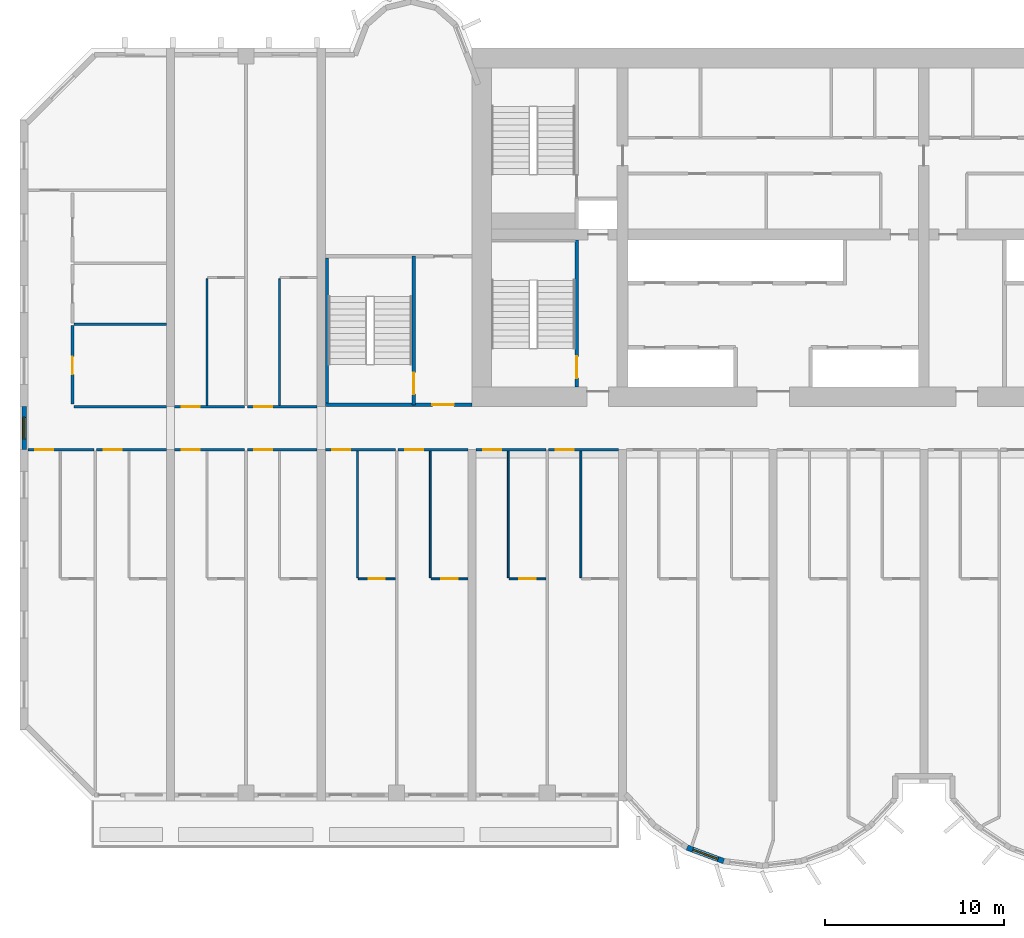
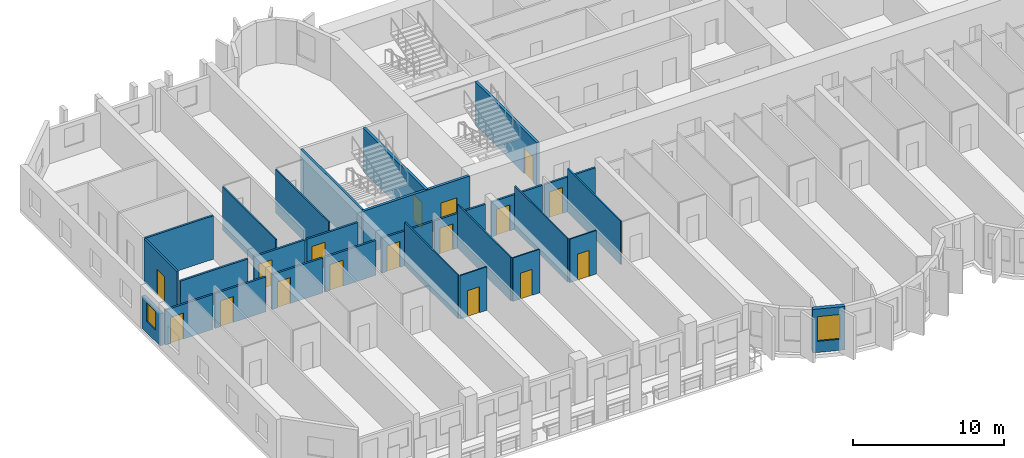
# One storey, part 3 of 14: 28 walls, 17 doors, 2 windows, 19 openings.
"""IFC4 building model written with IfcOpenShell, lengths in metres."""

from ifc_helpers import new_model, si_unit, direction, frame, frame_2d, origin, place, context, subcontext, project, spatial, rectangle, extrude, source, transform, mapped, material, layer, layer_set, type_object, element, fill, save


model = new_model("IFC4")

# Units and contexts
model_context = context("Model", 3, precision=1e-05, world=origin(), true_north=direction((0.0, 1.0)))
body_context = subcontext(model_context, "Body", "Model", "MODEL_VIEW")
ifc_project = project(units=[si_unit("LENGTHUNIT", "METRE"), si_unit("AREAUNIT", "SQUARE_METRE"), si_unit("VOLUMEUNIT", "CUBIC_METRE"), si_unit("PLANEANGLEUNIT", "RADIAN"), si_unit("MASSUNIT", "GRAM", prefix="KILO")], contexts=[model_context])

# Site, building, storey
site_placement = place(None, origin())
site = spatial("IfcSite", under=ifc_project, at=site_placement, CompositionType="ELEMENT")
building_placement = place(site_placement, origin())
building = spatial("IfcBuilding", under=site, at=building_placement, Name="Vanashikhar Sky Hotel", CompositionType="ELEMENT")
storey_placement = place(building_placement, frame((0.0, 0.0, 27.800048828125)))
storey = spatial("IfcBuildingStorey", under=building, at=storey_placement, Name="L05", CompositionType="ELEMENT", Elevation=27.800048828125)

# Wall, opening, window
ifc_material_1 = material(Name="Concrete M50", Category="concrete")
ifc_layer_1 = layer(ifc_material_1, 0.300048828125)
ifc_layer_set_1 = layer_set([ifc_layer_1], Name="Lobe wall 300")
wall_type_1 = type_object("IfcWallType", Name="Lobe wall 300", PredefinedType="SOLIDWALL", material=ifc_layer_set_1)
shared_shape_1 = source(origin(), body_context, "Body", "SweptSolid", [
    extrude(rectangle(XDim=2.17578125, YDim=0.300048828125, at=frame_2d((1.087890625, 0.0))), origin(), (0.0, 0.0, 1.0), 3.52001953125),
])
wall_1_placement = place(storey_placement, frame((37.20068359375, -2.58349609375, 0.0), z_axis=(0.0, 0.0, 1.0), x_axis=(0.93754555999, -0.347862505801, 0.0)))
wall_1 = element("IfcWall", 1, at=wall_1_placement, inside=storey, type_object=wall_type_1, Name="Lobe wall", PredefinedType="SOLIDWALL", context=body_context, shape_type="MappedRepresentation", body=[
    mapped(shared_shape_1, transform((0.0, 0.0, 0.0), scale=1.0)),
])
shared_shape_2 = source(origin(), body_context, "Body", "SweptSolid", [
    extrude(rectangle(XDim=1.5, YDim=2.0, at=frame_2d((0.75, 1.0))), frame((0.0, 0.16015625, 0.0), z_axis=(0.0, -1.0, 0.0), x_axis=(1.0, 0.0, 0.0)), (0.0, 0.0, 1.0), 0.320068359375),
])
opening_1_placement = place(wall_1_placement, frame((0.337890625, 0.0, 0.89990234375)))
opening_1 = element("IfcOpeningElement", 2, at=opening_1_placement, cuts=wall_1, Name="Opening WN-2", PredefinedType="OPENING", context=body_context, shape_type="MappedRepresentation", body=[
    mapped(shared_shape_2, transform((0.0, 0.0, 0.0), scale=1.0)),
])
ifc_material_2 = material(Name="Glass", Category="glass")
window_type_1 = type_object("IfcWindowType", Name="Lobe window 1500 x 2000", PartitioningType="SINGLE_PANEL", PredefinedType="WINDOW", material=ifc_material_2)
shared_shape_3 = source(origin(), body_context, "Body", "SweptSolid", [
    extrude(rectangle(XDim=1.5, YDim=2.0, at=frame_2d((0.75, 1.0))), frame((0.0, 0.030029296875, 0.0), z_axis=(0.0, -1.0, 0.0), x_axis=(1.0, 0.0, 0.0)), (0.0, 0.0, 1.0), 0.06005859375),
])
window_1_placement = place(opening_1_placement, origin())
window_1 = element("IfcWindow", 3, at=window_1_placement, inside=storey, type_object=window_type_1, Name="Window WN-2", OverallHeight=2.0, OverallWidth=1.5, PartitioningType="SINGLE_PANEL", PredefinedType="WINDOW", context=body_context, shape_type="MappedRepresentation", body=[
    mapped(shared_shape_3, transform((0.0, 0.0, 0.0), scale=1.0)),
])
fill(opening_1, window_1)

ifc_layer_2 = layer(ifc_material_1, 0.25)
ifc_layer_set_2 = layer_set([ifc_layer_2], Name="Rear and end board-marked wall 250")
wall_type_2 = type_object("IfcWallType", Name="Rear and end board-marked wall 250", PredefinedType="SOLIDWALL", material=ifc_layer_set_2)
shared_shape_4 = source(origin(), body_context, "Body", "SweptSolid", [
    extrude(rectangle(XDim=2.39990234375, YDim=0.25, at=frame_2d((1.199951171875, 0.0))), origin(), (0.0, 0.0, 1.0), 2.619873046875),
])
wall_2_placement = place(storey_placement, frame((0.22509765625, 19.60009765625, 0.0), z_axis=(0.0, 0.0, 1.0), x_axis=(0.0, 1.0, 0.0)))
wall_2 = element("IfcWall", 4, at=wall_2_placement, inside=storey, type_object=wall_type_2, Name="End corridor infill wall", PredefinedType="SOLIDWALL", context=body_context, shape_type="MappedRepresentation", body=[
    mapped(shared_shape_4, transform((0.0, 0.0, 0.0), scale=1.0)),
])
shared_shape_5 = source(origin(), body_context, "Body", "SweptSolid", [
    extrude(rectangle(XDim=1.199951171875, YDim=1.5, at=frame_2d((0.60009765625, 0.75))), frame((0.0, 0.135009765625, 0.0), z_axis=(0.0, -1.0, 0.0), x_axis=(1.0, 0.0, 0.0)), (0.0, 0.0, 1.0), 0.27001953125),
])
opening_2_placement = place(wall_2_placement, frame((0.60009765625, 0.0, 0.89990234375)))
opening_2 = element("IfcOpeningElement", 5, at=opening_2_placement, cuts=wall_2, Name="Opening WN-3", PredefinedType="OPENING", context=body_context, shape_type="MappedRepresentation", body=[
    mapped(shared_shape_5, transform((0.0, 0.0, 0.0), scale=1.0)),
])
window_type_2 = type_object("IfcWindowType", Name="Corridor end window 1200 x 1500", PartitioningType="SINGLE_PANEL", PredefinedType="WINDOW", material=ifc_material_2)
shared_shape_6 = source(origin(), body_context, "Body", "SweptSolid", [
    extrude(rectangle(XDim=1.199951171875, YDim=1.5, at=frame_2d((0.60009765625, 0.75))), frame((0.0, 0.030029296875, 0.0), z_axis=(0.0, -1.0, 0.0), x_axis=(1.0, 0.0, 0.0)), (0.0, 0.0, 1.0), 0.06005859375),
])
window_2_placement = place(opening_2_placement, origin())
window_2 = element("IfcWindow", 6, at=window_2_placement, inside=storey, type_object=window_type_2, Name="Window WN-3", OverallHeight=1.5, OverallWidth=1.199951171875, PartitioningType="SINGLE_PANEL", PredefinedType="WINDOW", context=body_context, shape_type="MappedRepresentation", body=[
    mapped(shared_shape_6, transform((0.0, 0.0, 0.0), scale=1.0)),
])
fill(opening_2, window_2)

# Wall, opening, door
ifc_layer_3 = layer(ifc_material_1, 0.199951171875)
ifc_layer_set_3 = layer_set([ifc_layer_3], Name="Stair wall 200")
wall_type_3 = type_object("IfcWallType", Name="Stair wall 200", PredefinedType="SOLIDWALL", material=ifc_layer_set_3)
shared_shape_7 = source(origin(), body_context, "Body", "SweptSolid", [
    extrude(rectangle(XDim=8.199951171875, YDim=0.199951171875, at=frame_2d((4.10009765625, 0.0))), origin(), (0.0, 0.0, 1.0), 3.52001953125),
])
wall_3_placement = place(storey_placement, frame((31.050048828125, 23.10009765625, 0.0), z_axis=(0.0, 0.0, 1.0), x_axis=(0.0, 1.0, 0.0)))
wall_3 = element("IfcWall", 7, at=wall_3_placement, inside=storey, type_object=wall_type_3, Name="Stair wall 200", PredefinedType="SOLIDWALL", context=body_context, shape_type="MappedRepresentation", body=[
    mapped(shared_shape_7, transform((0.0, 0.0, 0.0), scale=1.0)),
])
shared_shape_8 = source(origin(), body_context, "Body", "SweptSolid", [
    extrude(rectangle(XDim=1.199951171875, YDim=2.10009765625, at=frame_2d((0.60009765625, 1.050048828125))), frame((0.0, 0.10986328125, 0.0), z_axis=(0.0, -1.0, 0.0), x_axis=(1.0, 0.0, 0.0)), (0.0, 0.0, 1.0), 0.219970703125),
])
opening_3_placement = place(wall_3_placement, frame((0.5, 0.0, 0.0)))
opening_3 = element("IfcOpeningElement", 8, at=opening_3_placement, cuts=wall_3, Name="Opening DC-1", PredefinedType="OPENING", context=body_context, shape_type="MappedRepresentation", body=[
    mapped(shared_shape_8, transform((0.0, 0.0, 0.0), scale=1.0)),
])
ifc_material_3 = material(Name="Steel", Category="steel")
door_type_1 = type_object("IfcDoorType", Name="Stair door 1200 FD120", OperationType="NOTDEFINED", PredefinedType="DOOR", material=ifc_material_3)
shared_shape_9 = source(origin(), body_context, "Body", "SweptSolid", [
    extrude(rectangle(XDim=1.199951171875, YDim=2.10009765625, at=frame_2d((0.60009765625, 1.050048828125))), frame((0.0, 0.02490234375, 0.0), z_axis=(0.0, -1.0, 0.0), x_axis=(1.0, 0.0, 0.0)), (0.0, 0.0, 1.0), 0.050048828125),
])
door_1_placement = place(opening_3_placement, origin())
door_1 = element("IfcDoor", 9, at=door_1_placement, inside=storey, type_object=door_type_1, Name="Stair door 1200 FD120", OperationType="SINGLE_SWING_RIGHT", OverallHeight=2.10009765625, OverallWidth=1.199951171875, PredefinedType="DOOR", context=body_context, shape_type="MappedRepresentation", body=[
    mapped(shared_shape_9, transform((0.0, 0.0, 0.0), scale=1.0)),
])
fill(opening_3, door_1)

shared_shape_10 = source(origin(), body_context, "Body", "SweptSolid", [
    extrude(rectangle(XDim=8.2998046875, YDim=0.199951171875, at=frame_2d((4.14990234375, 0.0))), origin(), (0.0, 0.0, 1.0), 3.52001953125),
])
wall_4_placement = place(storey_placement, frame((21.949951171875, 22.10009765625, 0.0), z_axis=(0.0, 0.0, 1.0), x_axis=(0.0, 1.0, 0.0)))
wall_4 = element("IfcWall", 10, at=wall_4_placement, inside=storey, type_object=wall_type_3, Name="Stair wall 200", PredefinedType="SOLIDWALL", context=body_context, shape_type="MappedRepresentation", body=[
    mapped(shared_shape_10, transform((0.0, 0.0, 0.0), scale=1.0)),
])
opening_4_placement = place(wall_4_placement, frame((0.60009765625, 0.0, 0.0)))
opening_4 = element("IfcOpeningElement", 11, at=opening_4_placement, cuts=wall_4, Name="Opening DC-1", PredefinedType="OPENING", context=body_context, shape_type="MappedRepresentation", body=[
    mapped(shared_shape_8, transform((0.0, 0.0, 0.0), scale=1.0)),
])
door_2_placement = place(opening_4_placement, origin())
door_2 = element("IfcDoor", 12, at=door_2_placement, inside=storey, type_object=door_type_1, Name="Stair door 1200 FD120", OperationType="SINGLE_SWING_LEFT", OverallHeight=2.10009765625, OverallWidth=1.199951171875, PredefinedType="DOOR", context=body_context, shape_type="MappedRepresentation", body=[
    mapped(shared_shape_9, transform((0.0, 0.0, 0.0), scale=1.0)),
])
fill(opening_4, door_2)

shared_shape_11 = source(origin(), body_context, "Body", "SweptSolid", [
    extrude(rectangle(XDim=8.175048828125, YDim=0.199951171875, at=frame_2d((4.08740234375, 0.0))), origin(), (0.0, 0.0, 1.0), 3.52001953125),
])
wall_5_placement = place(storey_placement, frame((17.02490234375, 22.10009765625, 0.0), z_axis=(0.0, 0.0, 1.0), x_axis=(1.0, 0.0, 0.0)))
wall_5 = element("IfcWall", 13, at=wall_5_placement, inside=storey, type_object=wall_type_3, Name="Stair wall 200", PredefinedType="SOLIDWALL", context=body_context, shape_type="MappedRepresentation", body=[
    mapped(shared_shape_11, transform((0.0, 0.0, 0.0), scale=1.0)),
])
opening_5_placement = place(wall_5_placement, frame((5.97509765625, 0.0, 0.0)))
opening_5 = element("IfcOpeningElement", 14, at=opening_5_placement, cuts=wall_5, Name="Opening DC-2", PredefinedType="OPENING", context=body_context, shape_type="MappedRepresentation", body=[
    mapped(shared_shape_8, transform((0.0, 0.0, 0.0), scale=1.0)),
])
door_type_2 = type_object("IfcDoorType", Name="Firefighting lobby door 1200 FD120", OperationType="NOTDEFINED", PredefinedType="DOOR", material=ifc_material_3)
door_3_placement = place(opening_5_placement, origin())
door_3 = element("IfcDoor", 15, at=door_3_placement, inside=storey, type_object=door_type_2, Name="Firefighting lobby door 1200 FD120", OperationType="SINGLE_SWING_RIGHT", OverallHeight=2.10009765625, OverallWidth=1.199951171875, PredefinedType="DOOR", context=body_context, shape_type="MappedRepresentation", body=[
    mapped(shared_shape_9, transform((0.0, 0.0, 0.0), scale=1.0)),
])
fill(opening_5, door_3)

# Walls
ifc_layer_4 = layer(ifc_material_1, 0.175048828125)
ifc_layer_set_4 = layer_set([ifc_layer_4], Name="Stair infill wall 175")
wall_type_4 = type_object("IfcWallType", Name="Stair infill wall 175", PredefinedType="SOLIDWALL", material=ifc_layer_set_4)
shared_shape_12 = source(origin(), body_context, "Body", "SweptSolid", [
    extrude(rectangle(XDim=8.10009765625, YDim=0.175048828125, at=frame_2d((4.050048828125, 0.0))), origin(), (0.0, 0.0, 1.0), 3.52001953125),
])
wall_6_placement = place(storey_placement, frame((17.112060546875, 22.199951171875, 0.0), z_axis=(0.0, 0.0, 1.0), x_axis=(0.0, 1.0, 0.0)))
element("IfcWall", 16, at=wall_6_placement, inside=storey, type_object=wall_type_4, Name="Stair infill wall 175", PredefinedType="SOLIDWALL", context=body_context, shape_type="MappedRepresentation", body=[
    mapped(shared_shape_12, transform((0.0, 0.0, 0.0), scale=1.0)),
])
ifc_material_4 = material(Name="Gypsum plasterboard partition")
ifc_layer_5 = layer(ifc_material_4, 0.10009765625)
ifc_layer_set_5 = layer_set([ifc_layer_5], Name="Wet room partition 100")
wall_type_5 = type_object("IfcWallType", Name="Wet room partition 100", PredefinedType="PARTITIONING", material=ifc_layer_set_5)
shared_shape_13 = source(origin(), body_context, "Body", "SweptSolid", [
    extrude(rectangle(XDim=7.0498046875, YDim=0.10009765625, at=frame_2d((3.52490234375, 0.0))), origin(), (0.0, 0.0, 1.0), 3.52001953125),
])
for number, where, z_axis, x_axis, name in (
    (17, (18.824951171875, 12.47509765625, 0.0), (0.0, 0.0, 1.0), (0.0, 1.0, 0.0), "W-L05-PW015"),
    (18, (22.875, 12.47509765625, 0.0), (0.0, 0.0, 1.0), (0.0, 1.0, 0.0), "W-L05-PW018"),
    (19, (27.22509765625, 12.47509765625, 0.0), (0.0, 0.0, 1.0), (0.0, 1.0, 0.0), "W-L05-PW022"),
    (20, (31.27490234375, 12.47509765625, 0.0), (0.0, 0.0, 1.0), (0.0, 1.0, 0.0), "W-L05-PW025"),
):
    element("IfcWall", number, at=place(storey_placement, frame(where, z_axis=z_axis, x_axis=x_axis)), inside=storey, type_object=wall_type_5, Name=name, PredefinedType="PARTITIONING", context=body_context, shape_type="MappedRepresentation", body=[
        mapped(shared_shape_13, transform((0.0, 0.0, 0.0), scale=1.0)),
    ])

# Wall, opening, door
ifc_layer_6 = layer(ifc_material_4, 0.14990234375)
ifc_layer_set_6 = layer_set([ifc_layer_6], Name="Corridor and demising partition 150")
wall_type_6 = type_object("IfcWallType", Name="Corridor and demising partition 150", PredefinedType="PARTITIONING", material=ifc_layer_set_6)
shared_shape_14 = source(origin(), body_context, "Body", "SweptSolid", [
    extrude(rectangle(XDim=3.675048828125, YDim=0.14990234375, at=frame_2d((1.83740234375, 0.0))), origin(), (0.0, 0.0, 1.0), 2.820068359375),
])
wall_7_placement = place(storey_placement, frame((0.449951171875, 19.60009765625, 0.0), z_axis=(0.0, 0.0, 1.0), x_axis=(1.0, 0.0, 0.0)))
wall_7 = element("IfcWall", 21, at=wall_7_placement, inside=storey, type_object=wall_type_6, Name="W-L05-PW003", PredefinedType="PARTITIONING", context=body_context, shape_type="MappedRepresentation", body=[
    mapped(shared_shape_14, transform((0.0, 0.0, 0.0), scale=1.0)),
])
shared_shape_15 = source(origin(), body_context, "Body", "SweptSolid", [
    extrude(rectangle(XDim=1.0, YDim=2.10009765625, at=frame_2d((0.5, 1.050048828125))), frame((0.0, 0.0849609375, 0.0), z_axis=(0.0, -1.0, 0.0), x_axis=(1.0, 0.0, 0.0)), (0.0, 0.0, 1.0), 0.169921875),
])
opening_6_placement = place(wall_7_placement, frame((0.39990234375, 0.0, 0.0)))
opening_6 = element("IfcOpeningElement", 22, at=opening_6_placement, cuts=wall_7, Name="Opening D-01", PredefinedType="OPENING", context=body_context, shape_type="MappedRepresentation", body=[
    mapped(shared_shape_15, transform((0.0, 0.0, 0.0), scale=1.0)),
])
ifc_material_5 = material(Name="Timber fire door", Category="wood")
door_type_3 = type_object("IfcDoorType", Name="Guest entry door 1000 FD30S", OperationType="NOTDEFINED", PredefinedType="DOOR", material=ifc_material_5)
shared_shape_16 = source(origin(), body_context, "Body", "SweptSolid", [
    extrude(rectangle(XDim=1.0, YDim=2.10009765625, at=frame_2d((0.5, 1.050048828125))), frame((0.0, 0.02490234375, 0.0), z_axis=(0.0, -1.0, 0.0), x_axis=(1.0, 0.0, 0.0)), (0.0, 0.0, 1.0), 0.050048828125),
])
door_4_placement = place(opening_6_placement, origin())
door_4 = element("IfcDoor", 23, at=door_4_placement, inside=storey, type_object=door_type_3, Name="D-L05-002", OperationType="SINGLE_SWING_LEFT", OverallHeight=2.10009765625, OverallWidth=1.0, PredefinedType="DOOR", context=body_context, shape_type="MappedRepresentation", body=[
    mapped(shared_shape_16, transform((0.0, 0.0, 0.0), scale=1.0)),
])
fill(opening_6, door_4)

shared_shape_17 = source(origin(), body_context, "Body", "SweptSolid", [
    extrude(rectangle(XDim=2.050048828125, YDim=0.10009765625, at=frame_2d((1.02490234375, 0.0))), origin(), (0.0, 0.0, 1.0), 3.52001953125),
])
wall_8_placement = place(storey_placement, frame((18.875, 12.39990234375, 0.0), z_axis=(0.0, 0.0, 1.0), x_axis=(1.0, 0.0, 0.0)))
wall_8 = element("IfcWall", 24, at=wall_8_placement, inside=storey, type_object=wall_type_5, Name="W-L05-PW016", PredefinedType="PARTITIONING", context=body_context, shape_type="MappedRepresentation", body=[
    mapped(shared_shape_17, transform((0.0, 0.0, 0.0), scale=1.0)),
])
shared_shape_18 = source(origin(), body_context, "Body", "SweptSolid", [
    extrude(rectangle(XDim=0.89990234375, YDim=2.10009765625, at=frame_2d((0.449951171875, 1.050048828125))), frame((0.0, 0.06005859375, 0.0), z_axis=(0.0, -1.0, 0.0), x_axis=(1.0, 0.0, 0.0)), (0.0, 0.0, 1.0), 0.1201171875),
])
opening_7_placement = place(wall_8_placement, frame((0.574951171875, 0.0, 0.0)))
opening_7 = element("IfcOpeningElement", 25, at=opening_7_placement, cuts=wall_8, Name="Opening D-02", PredefinedType="OPENING", context=body_context, shape_type="MappedRepresentation", body=[
    mapped(shared_shape_18, transform((0.0, 0.0, 0.0), scale=1.0)),
])
ifc_material_6 = material(Name="Timber door", Category="wood")
door_type_4 = type_object("IfcDoorType", Name="Internal door 900", OperationType="NOTDEFINED", PredefinedType="DOOR", material=ifc_material_6)
shared_shape_19 = source(origin(), body_context, "Body", "SweptSolid", [
    extrude(rectangle(XDim=0.89990234375, YDim=2.10009765625, at=frame_2d((0.449951171875, 1.050048828125))), frame((0.0, 0.02490234375, 0.0), z_axis=(0.0, -1.0, 0.0), x_axis=(1.0, 0.0, 0.0)), (0.0, 0.0, 1.0), 0.050048828125),
])
door_5_placement = place(opening_7_placement, origin())
door_5 = element("IfcDoor", 26, at=door_5_placement, inside=storey, type_object=door_type_4, Name="D-L05-009", OperationType="SINGLE_SWING_LEFT", OverallHeight=2.10009765625, OverallWidth=0.89990234375, PredefinedType="DOOR", context=body_context, shape_type="MappedRepresentation", body=[
    mapped(shared_shape_19, transform((0.0, 0.0, 0.0), scale=1.0)),
])
fill(opening_7, door_5)

wall_9_placement = place(storey_placement, frame((22.925048828125, 12.39990234375, 0.0), z_axis=(0.0, 0.0, 1.0), x_axis=(1.0, 0.0, 0.0)))
wall_9 = element("IfcWall", 27, at=wall_9_placement, inside=storey, type_object=wall_type_5, Name="W-L05-PW019", PredefinedType="PARTITIONING", context=body_context, shape_type="MappedRepresentation", body=[
    mapped(shared_shape_17, transform((0.0, 0.0, 0.0), scale=1.0)),
])
opening_8_placement = place(wall_9_placement, frame((0.574951171875, 0.0, 0.0)))
opening_8 = element("IfcOpeningElement", 28, at=opening_8_placement, cuts=wall_9, Name="Opening D-02", PredefinedType="OPENING", context=body_context, shape_type="MappedRepresentation", body=[
    mapped(shared_shape_18, transform((0.0, 0.0, 0.0), scale=1.0)),
])
door_6_placement = place(opening_8_placement, origin())
door_6 = element("IfcDoor", 29, at=door_6_placement, inside=storey, type_object=door_type_4, Name="D-L05-011", OperationType="SINGLE_SWING_LEFT", OverallHeight=2.10009765625, OverallWidth=0.89990234375, PredefinedType="DOOR", context=body_context, shape_type="MappedRepresentation", body=[
    mapped(shared_shape_19, transform((0.0, 0.0, 0.0), scale=1.0)),
])
fill(opening_8, door_6)

wall_10_placement = place(storey_placement, frame((27.27490234375, 12.39990234375, 0.0), z_axis=(0.0, 0.0, 1.0), x_axis=(1.0, 0.0, 0.0)))
wall_10 = element("IfcWall", 30, at=wall_10_placement, inside=storey, type_object=wall_type_5, Name="W-L05-PW023", PredefinedType="PARTITIONING", context=body_context, shape_type="MappedRepresentation", body=[
    mapped(shared_shape_17, transform((0.0, 0.0, 0.0), scale=1.0)),
])
opening_9_placement = place(wall_10_placement, frame((0.574951171875, 0.0, 0.0)))
opening_9 = element("IfcOpeningElement", 31, at=opening_9_placement, cuts=wall_10, Name="Opening D-02", PredefinedType="OPENING", context=body_context, shape_type="MappedRepresentation", body=[
    mapped(shared_shape_18, transform((0.0, 0.0, 0.0), scale=1.0)),
])
door_7_placement = place(opening_9_placement, origin())
door_7 = element("IfcDoor", 32, at=door_7_placement, inside=storey, type_object=door_type_4, Name="D-L05-013", OperationType="SINGLE_SWING_LEFT", OverallHeight=2.10009765625, OverallWidth=0.89990234375, PredefinedType="DOOR", context=body_context, shape_type="MappedRepresentation", body=[
    mapped(shared_shape_19, transform((0.0, 0.0, 0.0), scale=1.0)),
])
fill(opening_9, door_7)

shared_shape_20 = source(origin(), body_context, "Body", "SweptSolid", [
    extrude(rectangle(XDim=3.900146484375, YDim=0.14990234375, at=frame_2d((1.9501953125, 0.0))), origin(), (0.0, 0.0, 1.0), 2.820068359375),
])
wall_11_placement = place(storey_placement, frame((4.27490234375, 19.60009765625, 0.0), z_axis=(0.0, 0.0, 1.0), x_axis=(1.0, 0.0, 0.0)))
wall_11 = element("IfcWall", 33, at=wall_11_placement, inside=storey, type_object=wall_type_6, Name="W-L05-PW006", PredefinedType="PARTITIONING", context=body_context, shape_type="MappedRepresentation", body=[
    mapped(shared_shape_20, transform((0.0, 0.0, 0.0), scale=1.0)),
])
opening_10_placement = place(wall_11_placement, frame((0.39990234375, 0.0, 0.0)))
opening_10 = element("IfcOpeningElement", 34, at=opening_10_placement, cuts=wall_11, Name="Opening D-01", PredefinedType="OPENING", context=body_context, shape_type="MappedRepresentation", body=[
    mapped(shared_shape_15, transform((0.0, 0.0, 0.0), scale=1.0)),
])
door_8_placement = place(opening_10_placement, origin())
door_8 = element("IfcDoor", 35, at=door_8_placement, inside=storey, type_object=door_type_3, Name="D-L05-004", OperationType="SINGLE_SWING_LEFT", OverallHeight=2.10009765625, OverallWidth=1.0, PredefinedType="DOOR", context=body_context, shape_type="MappedRepresentation", body=[
    mapped(shared_shape_16, transform((0.0, 0.0, 0.0), scale=1.0)),
])
fill(opening_10, door_8)

wall_12_placement = place(storey_placement, frame((17.02490234375, 19.60009765625, 0.0), z_axis=(0.0, 0.0, 1.0), x_axis=(1.0, 0.0, 0.0)))
wall_12 = element("IfcWall", 36, at=wall_12_placement, inside=storey, type_object=wall_type_6, Name="W-L05-PW017", PredefinedType="PARTITIONING", context=body_context, shape_type="MappedRepresentation", body=[
    mapped(shared_shape_20, transform((0.0, 0.0, 0.0), scale=1.0)),
])
opening_11_placement = place(wall_12_placement, frame((0.39990234375, 0.0, 0.0)))
opening_11 = element("IfcOpeningElement", 37, at=opening_11_placement, cuts=wall_12, Name="Opening D-01", PredefinedType="OPENING", context=body_context, shape_type="MappedRepresentation", body=[
    mapped(shared_shape_15, transform((0.0, 0.0, 0.0), scale=1.0)),
])
door_9_placement = place(opening_11_placement, origin())
door_9 = element("IfcDoor", 38, at=door_9_placement, inside=storey, type_object=door_type_3, Name="D-L05-010", OperationType="SINGLE_SWING_LEFT", OverallHeight=2.10009765625, OverallWidth=1.0, PredefinedType="DOOR", context=body_context, shape_type="MappedRepresentation", body=[
    mapped(shared_shape_16, transform((0.0, 0.0, 0.0), scale=1.0)),
])
fill(opening_11, door_9)

wall_13_placement = place(storey_placement, frame((21.074951171875, 19.60009765625, 0.0), z_axis=(0.0, 0.0, 1.0), x_axis=(1.0, 0.0, 0.0)))
wall_13 = element("IfcWall", 39, at=wall_13_placement, inside=storey, type_object=wall_type_6, Name="W-L05-PW020", PredefinedType="PARTITIONING", context=body_context, shape_type="MappedRepresentation", body=[
    mapped(shared_shape_20, transform((0.0, 0.0, 0.0), scale=1.0)),
])
opening_12_placement = place(wall_13_placement, frame((0.39990234375, 0.0, 0.0)))
opening_12 = element("IfcOpeningElement", 40, at=opening_12_placement, cuts=wall_13, Name="Opening D-01", PredefinedType="OPENING", context=body_context, shape_type="MappedRepresentation", body=[
    mapped(shared_shape_15, transform((0.0, 0.0, 0.0), scale=1.0)),
])
door_10_placement = place(opening_12_placement, origin())
door_10 = element("IfcDoor", 41, at=door_10_placement, inside=storey, type_object=door_type_3, Name="D-L05-012", OperationType="SINGLE_SWING_LEFT", OverallHeight=2.10009765625, OverallWidth=1.0, PredefinedType="DOOR", context=body_context, shape_type="MappedRepresentation", body=[
    mapped(shared_shape_16, transform((0.0, 0.0, 0.0), scale=1.0)),
])
fill(opening_12, door_10)

shared_shape_21 = source(origin(), body_context, "Body", "SweptSolid", [
    extrude(rectangle(XDim=3.89990234375, YDim=0.14990234375, at=frame_2d((1.949951171875, 0.0))), origin(), (0.0, 0.0, 1.0), 2.820068359375),
])
wall_14_placement = place(storey_placement, frame((8.625, 19.60009765625, 0.0), z_axis=(0.0, 0.0, 1.0), x_axis=(1.0, 0.0, 0.0)))
wall_14 = element("IfcWall", 42, at=wall_14_placement, inside=storey, type_object=wall_type_6, Name="W-L05-PW010", PredefinedType="PARTITIONING", context=body_context, shape_type="MappedRepresentation", body=[
    mapped(shared_shape_21, transform((0.0, 0.0, 0.0), scale=1.0)),
])
opening_13_placement = place(wall_14_placement, frame((0.39990234375, 0.0, 0.0)))
opening_13 = element("IfcOpeningElement", 43, at=opening_13_placement, cuts=wall_14, Name="Opening D-01", PredefinedType="OPENING", context=body_context, shape_type="MappedRepresentation", body=[
    mapped(shared_shape_15, transform((0.0, 0.0, 0.0), scale=1.0)),
])
door_11_placement = place(opening_13_placement, origin())
door_11 = element("IfcDoor", 44, at=door_11_placement, inside=storey, type_object=door_type_3, Name="D-L05-006", OperationType="SINGLE_SWING_LEFT", OverallHeight=2.10009765625, OverallWidth=1.0, PredefinedType="DOOR", context=body_context, shape_type="MappedRepresentation", body=[
    mapped(shared_shape_16, transform((0.0, 0.0, 0.0), scale=1.0)),
])
fill(opening_13, door_11)

wall_15_placement = place(storey_placement, frame((12.675048828125, 19.60009765625, 0.0), z_axis=(0.0, 0.0, 1.0), x_axis=(1.0, 0.0, 0.0)))
wall_15 = element("IfcWall", 45, at=wall_15_placement, inside=storey, type_object=wall_type_6, Name="W-L05-PW013", PredefinedType="PARTITIONING", context=body_context, shape_type="MappedRepresentation", body=[
    mapped(shared_shape_21, transform((0.0, 0.0, 0.0), scale=1.0)),
])
opening_14_placement = place(wall_15_placement, frame((0.39990234375, 0.0, 0.0)))
opening_14 = element("IfcOpeningElement", 46, at=opening_14_placement, cuts=wall_15, Name="Opening D-01", PredefinedType="OPENING", context=body_context, shape_type="MappedRepresentation", body=[
    mapped(shared_shape_15, transform((0.0, 0.0, 0.0), scale=1.0)),
])
door_12_placement = place(opening_14_placement, origin())
door_12 = element("IfcDoor", 47, at=door_12_placement, inside=storey, type_object=door_type_3, Name="D-L05-008", OperationType="SINGLE_SWING_LEFT", OverallHeight=2.10009765625, OverallWidth=1.0, PredefinedType="DOOR", context=body_context, shape_type="MappedRepresentation", body=[
    mapped(shared_shape_16, transform((0.0, 0.0, 0.0), scale=1.0)),
])
fill(opening_14, door_12)

wall_16_placement = place(storey_placement, frame((25.425048828125, 19.60009765625, 0.0), z_axis=(0.0, 0.0, 1.0), x_axis=(1.0, 0.0, 0.0)))
wall_16 = element("IfcWall", 48, at=wall_16_placement, inside=storey, type_object=wall_type_6, Name="W-L05-PW024", PredefinedType="PARTITIONING", context=body_context, shape_type="MappedRepresentation", body=[
    mapped(shared_shape_21, transform((0.0, 0.0, 0.0), scale=1.0)),
])
opening_15_placement = place(wall_16_placement, frame((0.39990234375, 0.0, 0.0)))
opening_15 = element("IfcOpeningElement", 49, at=opening_15_placement, cuts=wall_16, Name="Opening D-01", PredefinedType="OPENING", context=body_context, shape_type="MappedRepresentation", body=[
    mapped(shared_shape_15, transform((0.0, 0.0, 0.0), scale=1.0)),
])
door_13_placement = place(opening_15_placement, origin())
door_13 = element("IfcDoor", 50, at=door_13_placement, inside=storey, type_object=door_type_3, Name="D-L05-014", OperationType="SINGLE_SWING_LEFT", OverallHeight=2.10009765625, OverallWidth=1.0, PredefinedType="DOOR", context=body_context, shape_type="MappedRepresentation", body=[
    mapped(shared_shape_16, transform((0.0, 0.0, 0.0), scale=1.0)),
])
fill(opening_15, door_13)

wall_17_placement = place(storey_placement, frame((29.47509765625, 19.60009765625, 0.0), z_axis=(0.0, 0.0, 1.0), x_axis=(1.0, 0.0, 0.0)))
wall_17 = element("IfcWall", 51, at=wall_17_placement, inside=storey, type_object=wall_type_6, Name="W-L05-PW027", PredefinedType="PARTITIONING", context=body_context, shape_type="MappedRepresentation", body=[
    mapped(shared_shape_21, transform((0.0, 0.0, 0.0), scale=1.0)),
])
opening_16_placement = place(wall_17_placement, frame((0.39990234375, 0.0, 0.0)))
opening_16 = element("IfcOpeningElement", 52, at=opening_16_placement, cuts=wall_17, Name="Opening D-01", PredefinedType="OPENING", context=body_context, shape_type="MappedRepresentation", body=[
    mapped(shared_shape_15, transform((0.0, 0.0, 0.0), scale=1.0)),
])
door_14_placement = place(opening_16_placement, origin())
door_14 = element("IfcDoor", 53, at=door_14_placement, inside=storey, type_object=door_type_3, Name="D-L05-016", OperationType="SINGLE_SWING_LEFT", OverallHeight=2.10009765625, OverallWidth=1.0, PredefinedType="DOOR", context=body_context, shape_type="MappedRepresentation", body=[
    mapped(shared_shape_16, transform((0.0, 0.0, 0.0), scale=1.0)),
])
fill(opening_16, door_14)

wall_18_placement = place(storey_placement, frame((8.625, 22.0, 0.0), z_axis=(0.0, 0.0, 1.0), x_axis=(1.0, 0.0, 0.0)))
wall_18 = element("IfcWall", 54, at=wall_18_placement, inside=storey, type_object=wall_type_6, Name="W-L05-PW096", PredefinedType="PARTITIONING", context=body_context, shape_type="MappedRepresentation", body=[
    mapped(shared_shape_21, transform((0.0, 0.0, 0.0), scale=1.0)),
])
opening_17_placement = place(wall_18_placement, frame((0.39990234375, 0.0, 0.0)))
opening_17 = element("IfcOpeningElement", 55, at=opening_17_placement, cuts=wall_18, Name="Opening D-01", PredefinedType="OPENING", context=body_context, shape_type="MappedRepresentation", body=[
    mapped(shared_shape_15, transform((0.0, 0.0, 0.0), scale=1.0)),
])
door_15_placement = place(opening_17_placement, origin())
door_15 = element("IfcDoor", 56, at=door_15_placement, inside=storey, type_object=door_type_3, Name="D-L05-054", OperationType="SINGLE_SWING_LEFT", OverallHeight=2.10009765625, OverallWidth=1.0, PredefinedType="DOOR", context=body_context, shape_type="MappedRepresentation", body=[
    mapped(shared_shape_16, transform((0.0, 0.0, 0.0), scale=1.0)),
])
fill(opening_17, door_15)

wall_19_placement = place(storey_placement, frame((12.675048828125, 22.0, 0.0), z_axis=(0.0, 0.0, 1.0), x_axis=(1.0, 0.0, 0.0)))
wall_19 = element("IfcWall", 57, at=wall_19_placement, inside=storey, type_object=wall_type_6, Name="W-L05-PW099", PredefinedType="PARTITIONING", context=body_context, shape_type="MappedRepresentation", body=[
    mapped(shared_shape_21, transform((0.0, 0.0, 0.0), scale=1.0)),
])
opening_18_placement = place(wall_19_placement, frame((0.39990234375, 0.0, 0.0)))
opening_18 = element("IfcOpeningElement", 58, at=opening_18_placement, cuts=wall_19, Name="Opening D-01", PredefinedType="OPENING", context=body_context, shape_type="MappedRepresentation", body=[
    mapped(shared_shape_15, transform((0.0, 0.0, 0.0), scale=1.0)),
])
door_16_placement = place(opening_18_placement, origin())
door_16 = element("IfcDoor", 59, at=door_16_placement, inside=storey, type_object=door_type_3, Name="D-L05-056", OperationType="SINGLE_SWING_LEFT", OverallHeight=2.10009765625, OverallWidth=1.0, PredefinedType="DOOR", context=body_context, shape_type="MappedRepresentation", body=[
    mapped(shared_shape_16, transform((0.0, 0.0, 0.0), scale=1.0)),
])
fill(opening_18, door_16)

# Wall
shared_shape_22 = source(origin(), body_context, "Body", "SweptSolid", [
    extrude(rectangle(XDim=5.175048828125, YDim=0.14990234375, at=frame_2d((2.58740234375, 0.0))), origin(), (0.0, 0.0, 1.0), 2.820068359375),
])
wall_20_placement = place(storey_placement, frame((3.0, 22.0, 0.0), z_axis=(0.0, 0.0, 1.0), x_axis=(1.0, 0.0, 0.0)))
element("IfcWall", 60, at=wall_20_placement, inside=storey, type_object=wall_type_6, Name="W-L05-PW087", PredefinedType="PARTITIONING", context=body_context, shape_type="MappedRepresentation", body=[
    mapped(shared_shape_22, transform((0.0, 0.0, 0.0), scale=1.0)),
])

# Wall, opening, door
shared_shape_23 = source(origin(), body_context, "Body", "SweptSolid", [
    extrude(rectangle(XDim=4.375, YDim=0.14990234375, at=frame_2d((2.1875, 0.0))), origin(), (0.0, 0.0, 1.0), 3.52001953125),
])
wall_21_placement = place(storey_placement, frame((2.925048828125, 22.14990234375, 0.0), z_axis=(0.0, 0.0, 1.0), x_axis=(0.0, 1.0, 0.0)))
wall_21 = element("IfcWall", 61, at=wall_21_placement, inside=storey, type_object=wall_type_6, Name="W-L05-PW088", PredefinedType="PARTITIONING", context=body_context, shape_type="MappedRepresentation", body=[
    mapped(shared_shape_23, transform((0.0, 0.0, 0.0), scale=1.0)),
])
opening_19_placement = place(wall_21_placement, frame((1.64990234375, 0.0, 0.0)))
opening_19 = element("IfcOpeningElement", 62, at=opening_19_placement, cuts=wall_21, Name="Opening D-01", PredefinedType="OPENING", context=body_context, shape_type="MappedRepresentation", body=[
    mapped(shared_shape_15, transform((0.0, 0.0, 0.0), scale=1.0)),
])
door_17_placement = place(opening_19_placement, origin())
door_17 = element("IfcDoor", 63, at=door_17_placement, inside=storey, type_object=door_type_3, Name="D-L05-049", OperationType="SINGLE_SWING_LEFT", OverallHeight=2.10009765625, OverallWidth=1.0, PredefinedType="DOOR", context=body_context, shape_type="MappedRepresentation", body=[
    mapped(shared_shape_16, transform((0.0, 0.0, 0.0), scale=1.0)),
])
fill(opening_19, door_17)

# Walls
shared_shape_24 = source(origin(), body_context, "Body", "SweptSolid", [
    extrude(rectangle(XDim=5.175048828125, YDim=0.14990234375, at=frame_2d((2.58740234375, 0.0))), origin(), (0.0, 0.0, 1.0), 3.52001953125),
])
wall_22_placement = place(storey_placement, frame((3.0, 26.60009765625, 0.0), z_axis=(0.0, 0.0, 1.0), x_axis=(1.0, 0.0, 0.0)))
element("IfcWall", 64, at=wall_22_placement, inside=storey, type_object=wall_type_6, Name="W-L05-PW089", PredefinedType="PARTITIONING", context=body_context, shape_type="MappedRepresentation", body=[
    mapped(shared_shape_24, transform((0.0, 0.0, 0.0), scale=1.0)),
])
shared_shape_25 = source(origin(), body_context, "Body", "SweptSolid", [
    extrude(rectangle(XDim=7.050048828125, YDim=0.10009765625, at=frame_2d((3.52490234375, 0.0))), origin(), (0.0, 0.0, 1.0), 3.52001953125),
])
for number, where, z_axis, x_axis, name in (
    (65, (10.425048828125, 22.074951171875, 0.0), (0.0, 0.0, 1.0), (0.0, 1.0, 0.0), "W-L05-PW094"),
    (66, (14.47509765625, 22.074951171875, 0.0), (0.0, 0.0, 1.0), (0.0, 1.0, 0.0), "W-L05-PW097"),
):
    element("IfcWall", number, at=place(storey_placement, frame(where, z_axis=z_axis, x_axis=x_axis)), inside=storey, type_object=wall_type_5, Name=name, PredefinedType="PARTITIONING", context=body_context, shape_type="MappedRepresentation", body=[
        mapped(shared_shape_25, transform((0.0, 0.0, 0.0), scale=1.0)),
    ])

save(model, "model.ifc")
